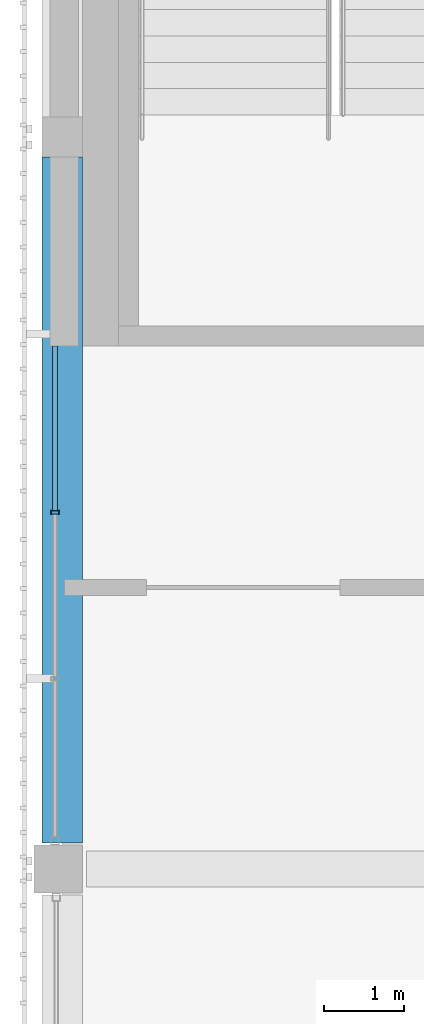
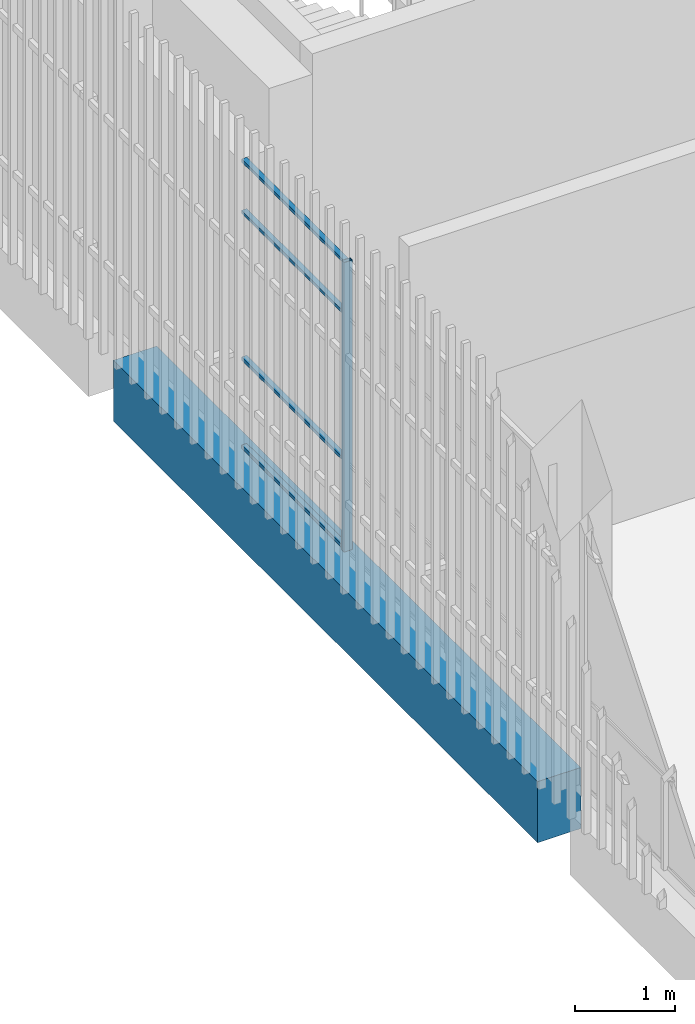
# One storey, part 34 of 139: 5 members, 1 beam, 1 element without a shape of its own.
"""IFC4 building model written with IfcOpenShell, lengths in metres."""

from ifc_helpers import new_model, si_unit, direction, frame, origin, origin_2d, place, context, subcontext, project, spatial, rectangle, hollow_rectangle, extrude, material, layer, layer_set, material_profile, profile_set, type_object, element, aggregate, save


model = new_model("IFC4")

# Units and contexts
model_context = context("Model", 3, precision=1e-05, world=origin(), true_north=direction((0.0, 1.0)))
body_context = subcontext(model_context, "Body", "Model", "MODEL_VIEW")
ifc_project = project(units=[si_unit("LENGTHUNIT", "METRE"), si_unit("AREAUNIT", "SQUARE_METRE"), si_unit("VOLUMEUNIT", "CUBIC_METRE"), si_unit("PLANEANGLEUNIT", "RADIAN"), si_unit("MASSUNIT", "GRAM", prefix="KILO")], contexts=[model_context])

# Site, building, storey
site_placement = place(None, origin())
site = spatial("IfcSite", under=ifc_project, at=site_placement, CompositionType="ELEMENT")
building_placement = place(site_placement, origin())
building = spatial("IfcBuilding", under=site, at=building_placement, Name="Shirokan Park Arena", CompositionType="ELEMENT")
storey_placement = place(building_placement, frame((0.0, 0.0, 15.469970703125)))
storey = spatial("IfcBuildingStorey", under=building, at=storey_placement, Name="L03", CompositionType="ELEMENT", Elevation=15.469970703125)

# Curtain wall, member
ifc_material_1 = material(Name="Steel and glass curtain wall", Category="steel")
ifc_layer = layer(ifc_material_1, 0.1201171875)
ifc_layer_set = layer_set([ifc_layer], Name="Steel and glass curtain wall 120 mm")
curtain_wall_type = type_object("IfcCurtainWallType", Name="Curtain wall corner block side bay 120", PredefinedType="NOTDEFINED", material=ifc_layer_set)
curtain_wall_placement = place(storey_placement, origin())
curtain_wall = element("IfcCurtainWall", 1, at=curtain_wall_placement, inside=storey, type_object=curtain_wall_type, Name="Curtain wall west bay 4 L03", PredefinedType="NOTDEFINED")
ifc_material_2 = material(Name="Steel S355", Category="steel")
ifc_material_profile_1 = material_profile(ifc_material_2, hollow_rectangle(XDim=0.10009765625, YDim=0.050048828125, WallThickness=0.0048828125, at=origin_2d()), Name="RHS 100x50x5")
ifc_profile_set_1 = profile_set([ifc_material_profile_1], Name="Steel S355")
member_type_1 = type_object("IfcMemberType", Name="Mullion RHS 100x50x5", PredefinedType="MULLION", material=ifc_profile_set_1)
member_1_placement = place(storey_placement, frame((-0.090087890625, 77.2333984375, 0.0), z_axis=(0.0, 0.0, 1.0), x_axis=(1.0, 0.0, 0.0)))
member_1 = element("IfcMember", 2, at=member_1_placement, type_object=member_type_1, Name="CW3 mullion 2", PredefinedType="MULLION", context=body_context, shape_type="SweptSolid", body=[
    extrude(hollow_rectangle(XDim=0.10009765625, YDim=0.050048828125, WallThickness=0.0048828125, at=origin_2d()), origin(), (0.0, 0.0, 1.0), 3.550048828125),
])

# Beam
ifc_material_3 = material(Name="Concrete C35", Category="concrete")
ifc_material_profile_2 = material_profile(ifc_material_3, rectangle(XDim=0.5, YDim=0.75, at=origin_2d()), Name="500x750")
ifc_profile_set_2 = profile_set([ifc_material_profile_2], Name="Concrete C35")
beam_type = type_object("IfcBeamType", Name="RC girder 500x750", PredefinedType="BEAM", material=ifc_profile_set_2)
beam_placement = place(storey_placement, frame((0.0, 73.125, -0.675048828125), z_axis=(0.0, 1.0, 0.0), x_axis=(-1.0, 0.0, 0.0)))
element("IfcBeam", 3, at=beam_placement, inside=storey, type_object=beam_type, Name="Girder 1J-1K L03", PredefinedType="BEAM", context=body_context, shape_type="SweptSolid", body=[
    extrude(rectangle(XDim=0.5, YDim=0.75, at=origin_2d()), origin(), (0.0, 0.0, 1.0), 8.52490234375),
])

# Member
ifc_material_profile_3 = material_profile(ifc_material_2, hollow_rectangle(XDim=0.06005859375, YDim=0.0400390625, WallThickness=0.00390625, at=origin_2d()), Name="RHS 60x40x4")
ifc_profile_set_3 = profile_set([ifc_material_profile_3], Name="Steel S355")
member_type_2 = type_object("IfcMemberType", Name="Transom RHS 60x40x4", PredefinedType="MULLION", material=ifc_profile_set_3)
member_2_placement = place(storey_placement, frame((-0.090087890625, 79.300048828125, 0.02001953125), z_axis=(0.0, -1.0, 0.0), x_axis=(1.0, 0.0, 0.0)))
member_2 = element("IfcMember", 4, at=member_2_placement, type_object=member_type_2, Name="CW3 transom 1.1", PredefinedType="MULLION", context=body_context, shape_type="SweptSolid", body=[
    extrude(hollow_rectangle(XDim=0.06005859375, YDim=0.0400390625, WallThickness=0.00390625, at=origin_2d()), origin(), (0.0, 0.0, 1.0), 2.041748046875),
])

member_3_placement = place(storey_placement, frame((-0.090087890625, 79.300048828125, 1.10009765625), z_axis=(0.0, -1.0, 0.0), x_axis=(1.0, 0.0, 0.0)))
member_3 = element("IfcMember", 5, at=member_3_placement, type_object=member_type_2, Name="CW3 transom 1.2", PredefinedType="MULLION", context=body_context, shape_type="SweptSolid", body=[
    extrude(hollow_rectangle(XDim=0.06005859375, YDim=0.0400390625, WallThickness=0.00390625, at=origin_2d()), origin(), (0.0, 0.0, 1.0), 2.041748046875),
])

member_4_placement = place(storey_placement, frame((-0.090087890625, 79.300048828125, 2.900146484375), z_axis=(0.0, -1.0, 0.0), x_axis=(1.0, 0.0, 0.0)))
member_4 = element("IfcMember", 6, at=member_4_placement, type_object=member_type_2, Name="CW3 transom 1.3", PredefinedType="MULLION", context=body_context, shape_type="SweptSolid", body=[
    extrude(hollow_rectangle(XDim=0.06005859375, YDim=0.0400390625, WallThickness=0.00390625, at=origin_2d()), origin(), (0.0, 0.0, 1.0), 2.041748046875),
])

member_5_placement = place(storey_placement, frame((-0.090087890625, 79.300048828125, 3.530029296875), z_axis=(0.0, -1.0, 0.0), x_axis=(1.0, 0.0, 0.0)))
member_5 = element("IfcMember", 7, at=member_5_placement, type_object=member_type_2, Name="CW3 transom 1.4", PredefinedType="MULLION", context=body_context, shape_type="SweptSolid", body=[
    extrude(hollow_rectangle(XDim=0.06005859375, YDim=0.0400390625, WallThickness=0.00390625, at=origin_2d()), origin(), (0.0, 0.0, 1.0), 2.041748046875),
])

aggregate(curtain_wall, [member_1, member_2, member_3, member_4, member_5])

save(model, "model.ifc")
